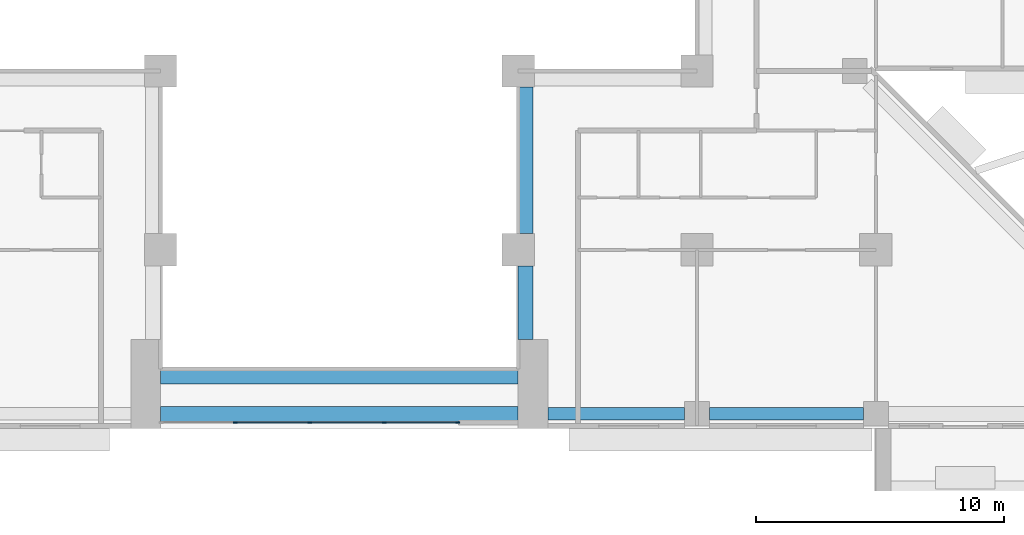
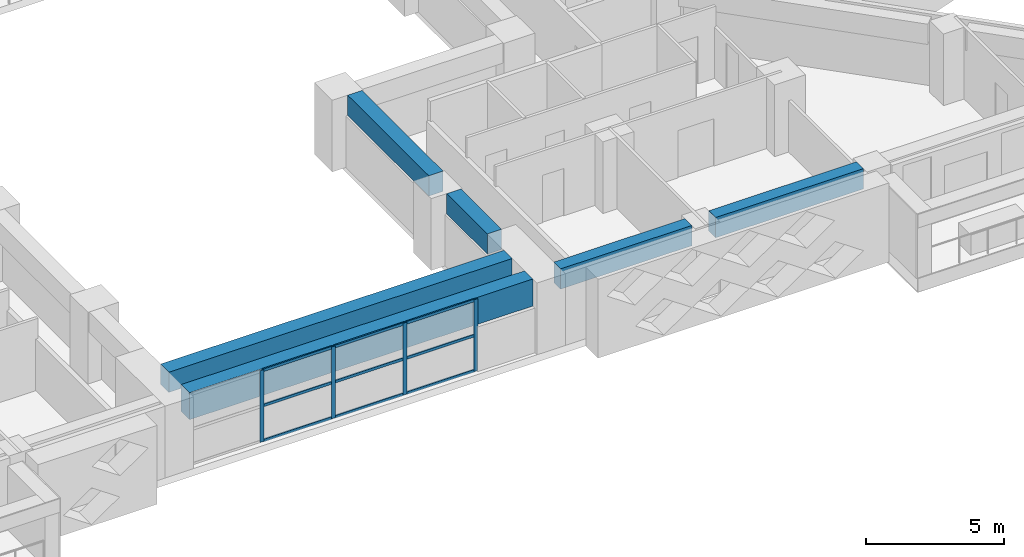
# One storey, part 4 of 16: 13 members, 6 beams, 1 element without a shape of its own.
"""IFC4 building model written with IfcOpenShell, lengths in metres."""

from ifc_helpers import new_model, si_unit, direction, frame, origin, origin_2d, place, context, subcontext, project, spatial, rectangle, extrude, source, transform, mapped, material, layer, layer_set, material_profile, profile_set, type_object, element, aggregate, save


model = new_model("IFC4")

# Units and contexts
model_context = context("Model", 3, precision=1e-05, world=origin(), true_north=direction((0.0, 1.0)))
body_context = subcontext(model_context, "Body", "Model", "MODEL_VIEW")
ifc_project = project(units=[si_unit("LENGTHUNIT", "METRE"), si_unit("AREAUNIT", "SQUARE_METRE"), si_unit("VOLUMEUNIT", "CUBIC_METRE"), si_unit("PLANEANGLEUNIT", "RADIAN"), si_unit("MASSUNIT", "GRAM", prefix="KILO")], contexts=[model_context])

# Site, building, storey
site_placement = place(None, origin())
site = spatial("IfcSite", under=ifc_project, at=site_placement, CompositionType="ELEMENT")
building_placement = place(site_placement, origin())
building = spatial("IfcBuilding", under=site, at=building_placement, Name="Saffron Iwan Residences", CompositionType="ELEMENT")
storey_placement = place(building_placement, frame((0.0, 0.0, 83.0)))
storey = spatial("IfcBuildingStorey", under=building, at=storey_placement, Name="L21", CompositionType="ELEMENT", Elevation=83.0)

# Beams
ifc_material_1 = material(Name="Concrete C60/75", Category="concrete")
ifc_material_profile_1 = material_profile(ifc_material_1, rectangle(XDim=0.60009765625, YDim=1.199951171875, at=origin_2d()), Name="RC 600x1200")
ifc_profile_set_1 = profile_set([ifc_material_profile_1], Name="Concrete C60/75")
beam_type_1 = type_object("IfcBeamType", Name="LINTEL BEAM RC 600x1200 C60/75 TOP 3180", PredefinedType="LINTEL", material=ifc_profile_set_1)
shared_shape_1 = source(origin(), body_context, "Body", "SweptSolid", [
    extrude(rectangle(XDim=0.60009765625, YDim=1.199951171875, at=origin_2d()), origin(), (0.0, 0.0, 1.0), 14.400146484375),
])
beam_1_placement = place(storey_placement, frame((57.60009765625, 34.199951171875, 2.580078125), z_axis=(-1.0, 0.0, 0.0), x_axis=(0.0, -1.0, 0.0)))
element("IfcBeam", 1, at=beam_1_placement, inside=storey, type_object=beam_type_1, Name="Lintel beam over the iwan", PredefinedType="LINTEL", context=body_context, shape_type="MappedRepresentation", body=[
    mapped(shared_shape_1, transform((0.0, 0.0, 0.0))),
])
ifc_material_profile_2 = material_profile(ifc_material_1, rectangle(XDim=0.60009765625, YDim=0.89990234375, at=origin_2d()), Name="RC 600x900")
ifc_profile_set_2 = profile_set([ifc_material_profile_2], Name="Concrete C60/75")
beam_type_2 = type_object("IfcBeamType", Name="BEAM RC 600x900 C60/75 TOP 3180", PredefinedType="BEAM", material=ifc_profile_set_2)
shared_shape_2 = source(origin(), body_context, "Body", "SweptSolid", [
    extrude(rectangle(XDim=0.60009765625, YDim=0.89990234375, at=origin_2d()), origin(), (0.0, 0.0, 1.0), 14.400146484375),
])
beam_2_placement = place(storey_placement, frame((57.60009765625, 35.699951171875, 2.72998046875), z_axis=(-1.0, 0.0, 0.0), x_axis=(0.0, -1.0, 0.0)))
element("IfcBeam", 2, at=beam_2_placement, inside=storey, type_object=beam_type_2, Name="Atrium edge beam", PredefinedType="BEAM", context=body_context, shape_type="MappedRepresentation", body=[
    mapped(shared_shape_2, transform((0.0, 0.0, 0.0))),
])
ifc_material_profile_3 = material_profile(ifc_material_1, rectangle(XDim=0.5, YDim=0.89990234375, at=origin_2d()), Name="RC 500x900")
ifc_profile_set_3 = profile_set([ifc_material_profile_3], Name="Concrete C60/75")
beam_type_3 = type_object("IfcBeamType", Name="SPANDREL BEAM RC 500x900 C60/75 TOP 3180", PredefinedType="SPANDREL", material=ifc_profile_set_3)
shared_shape_3 = source(origin(), body_context, "Body", "SweptSolid", [
    extrude(rectangle(XDim=0.5, YDim=0.89990234375, at=origin_2d()), origin(), (0.0, 0.0, 1.0), 6.199951171875),
])
beam_3_placement = place(storey_placement, frame((71.5, 34.199951171875, 2.72998046875), z_axis=(-1.0, 0.0, 0.0), x_axis=(0.0, -1.0, 0.0)))
element("IfcBeam", 3, at=beam_3_placement, inside=storey, type_object=beam_type_3, Name="Spandrel beam", PredefinedType="SPANDREL", context=body_context, shape_type="MappedRepresentation", body=[
    mapped(shared_shape_3, transform((0.0, 0.0, 0.0))),
])
shared_shape_4 = source(origin(), body_context, "Body", "SweptSolid", [
    extrude(rectangle(XDim=0.5, YDim=0.89990234375, at=origin_2d()), origin(), (0.0, 0.0, 1.0), 5.5),
])
beam_4_placement = place(storey_placement, frame((64.300048828125, 34.199951171875, 2.72998046875), z_axis=(-1.0, 0.0, 0.0), x_axis=(0.0, -1.0, 0.0)))
element("IfcBeam", 4, at=beam_4_placement, inside=storey, type_object=beam_type_3, Name="Spandrel beam", PredefinedType="SPANDREL", context=body_context, shape_type="MappedRepresentation", body=[
    mapped(shared_shape_4, transform((0.0, 0.0, 0.0))),
])
shared_shape_5 = source(origin(), body_context, "Body", "SweptSolid", [
    extrude(rectangle(XDim=0.60009765625, YDim=0.89990234375, at=origin_2d()), origin(), (0.0, 0.0, 1.0), 2.949951171875),
])
beam_5_placement = place(storey_placement, frame((57.89990234375, 40.14990234375, 2.72998046875), z_axis=(0.0, -1.0, 0.0), x_axis=(1.0, 0.0, 0.0)))
element("IfcBeam", 5, at=beam_5_placement, inside=storey, type_object=beam_type_2, Name="Atrium edge beam", PredefinedType="BEAM", context=body_context, shape_type="MappedRepresentation", body=[
    mapped(shared_shape_5, transform((0.0, 0.0, 0.0))),
])
shared_shape_6 = source(origin(), body_context, "Body", "SweptSolid", [
    extrude(rectangle(XDim=0.60009765625, YDim=0.89990234375, at=origin_2d()), origin(), (0.0, 0.0, 1.0), 5.900146484375),
])
beam_6_placement = place(storey_placement, frame((57.89990234375, 47.35009765625, 2.72998046875), z_axis=(0.0, -1.0, 0.0), x_axis=(1.0, 0.0, 0.0)))
element("IfcBeam", 6, at=beam_6_placement, inside=storey, type_object=beam_type_2, Name="Atrium edge beam", PredefinedType="BEAM", context=body_context, shape_type="MappedRepresentation", body=[
    mapped(shared_shape_6, transform((0.0, 0.0, 0.0))),
])

# Curtain wall, members
ifc_material_2 = material(Name="Clear glass, laminated double glazed", Category="glass")
ifc_layer = layer(ifc_material_2, 0.199951171875)
ifc_layer_set = layer_set([ifc_layer], Name="Clear glass, laminated double glazed")
curtain_wall_type = type_object("IfcCurtainWallType", Name="CW-B IWAN PORTAL", PredefinedType="NOTDEFINED", material=ifc_layer_set)
curtain_wall_placement = place(storey_placement, origin())
curtain_wall = element("IfcCurtainWall", 7, at=curtain_wall_placement, inside=storey, type_object=curtain_wall_type, Name="Iwan portal glazing L21.1", PredefinedType="NOTDEFINED")
ifc_material_3 = material(Name="Aluminium 6063-T6", Category="aluminium")
ifc_material_profile_4 = material_profile(ifc_material_3, rectangle(XDim=0.06005859375, YDim=0.159912109375, at=origin_2d()), Name="CW-B MULLION 60 x 160")
ifc_profile_set_4 = profile_set([ifc_material_profile_4], Name="Aluminium 6063-T6")
member_type_1 = type_object("IfcMemberType", Name="CW-B MULLION 60 x 160", PredefinedType="MULLION", material=ifc_profile_set_4)
shared_shape_7 = source(origin(), body_context, "Body", "SweptSolid", [
    extrude(rectangle(XDim=0.06005859375, YDim=0.159912109375, at=origin_2d()), origin(), (0.0, 0.0, 1.0), 3.179931640625),
])
member_1_placement = place(storey_placement, frame((46.199951171875, 33.85009765625, 0.0), z_axis=(0.0, 0.0, 1.0), x_axis=(0.0, 1.0, 0.0)))
member_1 = element("IfcMember", 8, at=member_1_placement, type_object=member_type_1, Name="CW-B mullion 2", PredefinedType="MULLION", context=body_context, shape_type="MappedRepresentation", body=[
    mapped(shared_shape_7, transform((0.0, 0.0, 0.0))),
])
member_2_placement = place(storey_placement, frame((49.199951171875, 33.85009765625, 0.0), z_axis=(0.0, 0.0, 1.0), x_axis=(0.0, 1.0, 0.0)))
member_2 = element("IfcMember", 9, at=member_2_placement, type_object=member_type_1, Name="CW-B mullion 3", PredefinedType="MULLION", context=body_context, shape_type="MappedRepresentation", body=[
    mapped(shared_shape_7, transform((0.0, 0.0, 0.0))),
])
member_3_placement = place(storey_placement, frame((52.199951171875, 33.85009765625, 0.0), z_axis=(0.0, 0.0, 1.0), x_axis=(0.0, 1.0, 0.0)))
member_3 = element("IfcMember", 10, at=member_3_placement, type_object=member_type_1, Name="CW-B mullion 4", PredefinedType="MULLION", context=body_context, shape_type="MappedRepresentation", body=[
    mapped(shared_shape_7, transform((0.0, 0.0, 0.0))),
])
member_4_placement = place(storey_placement, frame((55.169921875, 33.85009765625, 0.0), z_axis=(0.0, 0.0, 1.0), x_axis=(0.0, 1.0, 0.0)))
member_4 = element("IfcMember", 11, at=member_4_placement, type_object=member_type_1, Name="CW-B mullion 5", PredefinedType="MULLION", context=body_context, shape_type="MappedRepresentation", body=[
    mapped(shared_shape_7, transform((0.0, 0.0, 0.0))),
])
ifc_material_profile_5 = material_profile(ifc_material_3, rectangle(XDim=0.06005859375, YDim=0.1201171875, at=origin_2d()), Name="CW-B TRANSOM 60 x 120")
ifc_profile_set_5 = profile_set([ifc_material_profile_5], Name="Aluminium 6063-T6")
member_type_2 = type_object("IfcMemberType", Name="CW-B TRANSOM 60 x 120", PredefinedType="USERDEFINED", material=ifc_profile_set_5)
shared_shape_8 = source(origin(), body_context, "Body", "SweptSolid", [
    extrude(rectangle(XDim=0.06005859375, YDim=0.1201171875, at=origin_2d()), origin(), (0.0, 0.0, 1.0), 2.909912109375),
])
member_5_placement = place(storey_placement, frame((52.22998046875, 33.85009765625, 0.030029296875), z_axis=(1.0, 0.0, 0.0), x_axis=(0.0, 1.0, 0.0)))
member_5 = element("IfcMember", 12, at=member_5_placement, type_object=member_type_2, Name="CW-B transom 4.1", ObjectType="TRANSOM", PredefinedType="USERDEFINED", context=body_context, shape_type="MappedRepresentation", body=[
    mapped(shared_shape_8, transform((0.0, 0.0, 0.0))),
])
member_6_placement = place(storey_placement, frame((52.22998046875, 33.85009765625, 1.590087890625), z_axis=(1.0, 0.0, 0.0), x_axis=(0.0, 1.0, 0.0)))
member_6 = element("IfcMember", 13, at=member_6_placement, type_object=member_type_2, Name="CW-B transom 4.2", ObjectType="TRANSOM", PredefinedType="USERDEFINED", context=body_context, shape_type="MappedRepresentation", body=[
    mapped(shared_shape_8, transform((0.0, 0.0, 0.0))),
])
member_7_placement = place(storey_placement, frame((52.22998046875, 33.85009765625, 3.14990234375), z_axis=(1.0, 0.0, 0.0), x_axis=(0.0, 1.0, 0.0)))
member_7 = element("IfcMember", 14, at=member_7_placement, type_object=member_type_2, Name="CW-B transom 4.3", ObjectType="TRANSOM", PredefinedType="USERDEFINED", context=body_context, shape_type="MappedRepresentation", body=[
    mapped(shared_shape_8, transform((0.0, 0.0, 0.0))),
])
shared_shape_9 = source(origin(), body_context, "Body", "SweptSolid", [
    extrude(rectangle(XDim=0.06005859375, YDim=0.1201171875, at=origin_2d()), origin(), (0.0, 0.0, 1.0), 2.93994140625),
])
member_8_placement = place(storey_placement, frame((46.22998046875, 33.85009765625, 0.030029296875), z_axis=(1.0, 0.0, 0.0), x_axis=(0.0, 1.0, 0.0)))
member_8 = element("IfcMember", 15, at=member_8_placement, type_object=member_type_2, Name="CW-B transom 2.1", ObjectType="TRANSOM", PredefinedType="USERDEFINED", context=body_context, shape_type="MappedRepresentation", body=[
    mapped(shared_shape_9, transform((0.0, 0.0, 0.0))),
])
member_9_placement = place(storey_placement, frame((46.22998046875, 33.85009765625, 1.590087890625), z_axis=(1.0, 0.0, 0.0), x_axis=(0.0, 1.0, 0.0)))
member_9 = element("IfcMember", 16, at=member_9_placement, type_object=member_type_2, Name="CW-B transom 2.2", ObjectType="TRANSOM", PredefinedType="USERDEFINED", context=body_context, shape_type="MappedRepresentation", body=[
    mapped(shared_shape_9, transform((0.0, 0.0, 0.0))),
])
member_10_placement = place(storey_placement, frame((46.22998046875, 33.85009765625, 3.14990234375), z_axis=(1.0, 0.0, 0.0), x_axis=(0.0, 1.0, 0.0)))
member_10 = element("IfcMember", 17, at=member_10_placement, type_object=member_type_2, Name="CW-B transom 2.3", ObjectType="TRANSOM", PredefinedType="USERDEFINED", context=body_context, shape_type="MappedRepresentation", body=[
    mapped(shared_shape_9, transform((0.0, 0.0, 0.0))),
])
member_11_placement = place(storey_placement, frame((49.22998046875, 33.85009765625, 0.030029296875), z_axis=(1.0, 0.0, 0.0), x_axis=(0.0, 1.0, 0.0)))
member_11 = element("IfcMember", 18, at=member_11_placement, type_object=member_type_2, Name="CW-B transom 3.1", ObjectType="TRANSOM", PredefinedType="USERDEFINED", context=body_context, shape_type="MappedRepresentation", body=[
    mapped(shared_shape_9, transform((0.0, 0.0, 0.0))),
])
member_12_placement = place(storey_placement, frame((49.22998046875, 33.85009765625, 1.590087890625), z_axis=(1.0, 0.0, 0.0), x_axis=(0.0, 1.0, 0.0)))
member_12 = element("IfcMember", 19, at=member_12_placement, type_object=member_type_2, Name="CW-B transom 3.2", ObjectType="TRANSOM", PredefinedType="USERDEFINED", context=body_context, shape_type="MappedRepresentation", body=[
    mapped(shared_shape_9, transform((0.0, 0.0, 0.0))),
])
member_13_placement = place(storey_placement, frame((49.22998046875, 33.85009765625, 3.14990234375), z_axis=(1.0, 0.0, 0.0), x_axis=(0.0, 1.0, 0.0)))
member_13 = element("IfcMember", 20, at=member_13_placement, type_object=member_type_2, Name="CW-B transom 3.3", ObjectType="TRANSOM", PredefinedType="USERDEFINED", context=body_context, shape_type="MappedRepresentation", body=[
    mapped(shared_shape_9, transform((0.0, 0.0, 0.0))),
])
aggregate(curtain_wall, [member_1, member_2, member_3, member_4, member_8, member_9, member_10, member_11, member_12, member_13, member_5, member_6, member_7])

save(model, "model.ifc")
